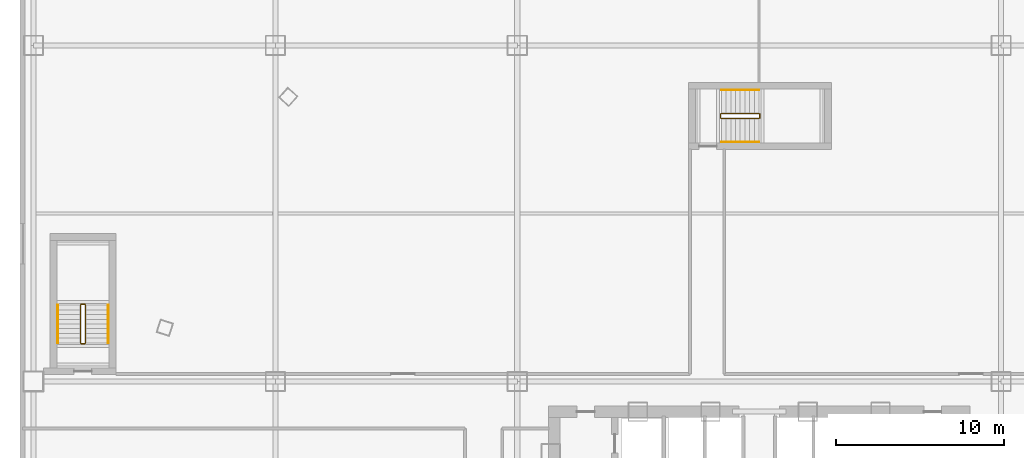
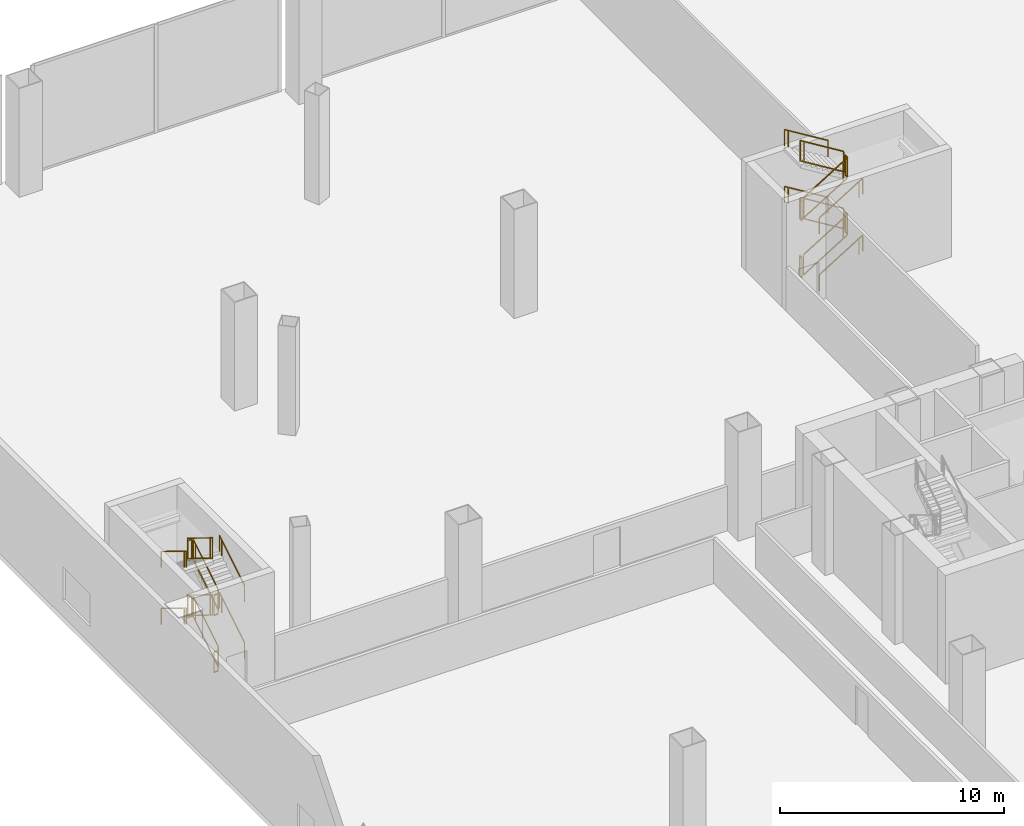
# One storey, part 40 of 41: 24 railings.
"""IFC4 building model written with IfcOpenShell, lengths in metres."""

from ifc_helpers import new_model, si_unit, direction, frame, origin, origin_2d, place, context, subcontext, project, spatial, rectangle, extrude, material, type_object, element, save


model = new_model("IFC4")

# Units and contexts
model_context = context("Model", 3, precision=1e-05, world=origin(), true_north=direction((0.0, 1.0)))
body_context = subcontext(model_context, "Body", "Model", "MODEL_VIEW")
ifc_project = project(units=[si_unit("LENGTHUNIT", "METRE"), si_unit("AREAUNIT", "SQUARE_METRE"), si_unit("VOLUMEUNIT", "CUBIC_METRE"), si_unit("PLANEANGLEUNIT", "RADIAN"), si_unit("MASSUNIT", "GRAM", prefix="KILO"), si_unit("THERMODYNAMICTEMPERATUREUNIT", "KELVIN"), si_unit("POWERUNIT", "WATT")], contexts=[model_context])

# Site, building, storey
site_placement = place(None, origin())
site = spatial("IfcSite", under=ifc_project, at=site_placement, CompositionType="ELEMENT")
building_placement = place(site_placement, origin())
building = spatial("IfcBuilding", under=site, at=building_placement, Name="Yunzhuo Pagoda Commons", CompositionType="ELEMENT")
storey_placement = place(building_placement, frame((0.0, 0.0, 19.199951171875)))
storey = spatial("IfcBuildingStorey", under=building, at=storey_placement, Name="L05", CompositionType="ELEMENT", Elevation=19.199951171875)

# Railings
ifc_material = material(Name="Anodized aluminium 6063-T6", Category="aluminium")
railing_type_1 = type_object("IfcRailingType", Name="GR-PS3 Podium Well Guardrail 1150", PredefinedType="GUARDRAIL", material=ifc_material)
railing_1_placement = place(storey_placement, frame((7.89990234375, 44.300048828125, 0.17236328125)))
element("IfcRailing", 1, at=railing_1_placement, inside=storey, type_object=railing_type_1, Name="L05 PS3 stair guard 1", PredefinedType="GUARDRAIL", context=body_context, shape_type="SweptSolid", body=[
    extrude(rectangle(XDim=0.048095703125, YDim=0.048095703125, at=origin_2d()), frame((0.0, 0.0, 1.1259765625), z_axis=(0.0, 0.85178898068, 0.523885037382), x_axis=(-1.0, 0.0, 0.0)), (0.0, 0.0, 1.0), 2.629638671875),
    extrude(rectangle(XDim=0.048095703125, YDim=0.048095703125, at=origin_2d()), frame((0.0, 0.0, 0.02392578125), z_axis=(0.0, 0.85178898068, 0.523885037382), x_axis=(-1.0, 0.0, 0.0)), (0.0, 0.0, 1.0), 2.629638671875),
    extrude(rectangle(XDim=0.0419921875, YDim=0.0419921875, at=origin_2d()), origin(), (0.0, 0.0, 1.0), 1.101806640625),
    extrude(rectangle(XDim=0.0419921875, YDim=0.0419921875, at=origin_2d()), frame((0.0, 2.044189453125, 1.25732421875)), (0.0, 0.0, 1.0), 1.101806640625),
    extrude(rectangle(XDim=0.0419921875, YDim=0.0419921875, at=origin_2d()), frame((0.0, 2.239990234375, 1.377685546875)), (0.0, 0.0, 1.0), 1.101806640625),
])
railing_2_placement = place(storey_placement, frame((7.85009765625, 46.590087890625, 1.550048828125)))
element("IfcRailing", 2, at=railing_2_placement, inside=storey, type_object=railing_type_1, Name="L05 PS3 stair guard 2", PredefinedType="GUARDRAIL", context=body_context, shape_type="SweptSolid", body=[
    extrude(rectangle(XDim=0.048095703125, YDim=0.048095703125, at=origin_2d()), frame((0.0, 0.0, 1.1259765625), z_axis=(-1.0, 0.0, 0.0), x_axis=(0.0, -1.0, 0.0)), (0.0, 0.0, 1.0), 0.2001953125),
    extrude(rectangle(XDim=0.048095703125, YDim=0.048095703125, at=origin_2d()), frame((0.0, 0.0, 0.02392578125), z_axis=(-1.0, 0.0, 0.0), x_axis=(0.0, -1.0, 0.0)), (0.0, 0.0, 1.0), 0.2001953125),
    extrude(rectangle(XDim=0.0419921875, YDim=0.0419921875, at=origin_2d()), origin(), (0.0, 0.0, 1.0), 1.101806640625),
    extrude(rectangle(XDim=0.0419921875, YDim=0.0419921875, at=origin_2d()), frame((-0.2001953125, 0.0, 0.0)), (0.0, 0.0, 1.0), 1.101806640625),
])
railing_3_placement = place(storey_placement, frame((7.60009765625, 46.5400390625, 1.72216796875)))
element("IfcRailing", 3, at=railing_3_placement, inside=storey, type_object=railing_type_1, Name="L05 PS3 stair guard 3", PredefinedType="GUARDRAIL", context=body_context, shape_type="SweptSolid", body=[
    extrude(rectangle(XDim=0.048095703125, YDim=0.048095703125, at=origin_2d()), frame((0.0, 0.0, 1.1259765625), z_axis=(0.0, -0.851747552033, 0.523952390591), x_axis=(1.0, 0.0, 0.0)), (0.0, 0.0, 1.0), 2.6298828125),
    extrude(rectangle(XDim=0.048095703125, YDim=0.048095703125, at=origin_2d()), frame((0.0, 0.0, 0.02392578125), z_axis=(0.0, -0.851747552033, 0.523952390591), x_axis=(1.0, 0.0, 0.0)), (0.0, 0.0, 1.0), 2.6298828125),
    extrude(rectangle(XDim=0.0419921875, YDim=0.0419921875, at=origin_2d()), origin(), (0.0, 0.0, 1.0), 1.101806640625),
    extrude(rectangle(XDim=0.0419921875, YDim=0.0419921875, at=origin_2d()), frame((0.0, -2.044189453125, 1.257568359375)), (0.0, 0.0, 1.0), 1.101806640625),
    extrude(rectangle(XDim=0.0419921875, YDim=0.0419921875, at=origin_2d()), frame((0.0, -2.239990234375, 1.3779296875)), (0.0, 0.0, 1.0), 1.101806640625),
])
railing_4_placement = place(storey_placement, frame((7.85009765625, 44.25, 3.10009765625)))
element("IfcRailing", 4, at=railing_4_placement, inside=storey, type_object=railing_type_1, Name="L05 PS3 stair guard 4", PredefinedType="GUARDRAIL", context=body_context, shape_type="SweptSolid", body=[
    extrude(rectangle(XDim=0.048095703125, YDim=0.048095703125, at=origin_2d()), frame((0.0, 0.0, 1.1259765625), z_axis=(-1.0, 0.0, 0.0), x_axis=(0.0, -1.0, 0.0)), (0.0, 0.0, 1.0), 0.2001953125),
    extrude(rectangle(XDim=0.048095703125, YDim=0.048095703125, at=origin_2d()), frame((0.0, 0.0, 0.02392578125), z_axis=(-1.0, 0.0, 0.0), x_axis=(0.0, -1.0, 0.0)), (0.0, 0.0, 1.0), 0.2001953125),
    extrude(rectangle(XDim=0.0419921875, YDim=0.0419921875, at=origin_2d()), origin(), (0.0, 0.0, 1.0), 1.101806640625),
    extrude(rectangle(XDim=0.0419921875, YDim=0.0419921875, at=origin_2d()), frame((-0.2001953125, 0.0, 0.0)), (0.0, 0.0, 1.0), 1.101806640625),
])
railing_5_placement = place(storey_placement, frame((7.89990234375, 44.300048828125, 3.272216796875)))
element("IfcRailing", 5, at=railing_5_placement, inside=storey, type_object=railing_type_1, Name="L05 PS3 stair guard 5", PredefinedType="GUARDRAIL", context=body_context, shape_type="SweptSolid", body=[
    extrude(rectangle(XDim=0.048095703125, YDim=0.048095703125, at=origin_2d()), frame((0.0, 0.0, 1.1259765625), z_axis=(0.0, 0.851747552033, 0.523952390591), x_axis=(-1.0, 0.0, 0.0)), (0.0, 0.0, 1.0), 2.6298828125),
    extrude(rectangle(XDim=0.048095703125, YDim=0.048095703125, at=origin_2d()), frame((0.0, 0.0, 0.02392578125), z_axis=(0.0, 0.851747552033, 0.523952390591), x_axis=(-1.0, 0.0, 0.0)), (0.0, 0.0, 1.0), 2.6298828125),
    extrude(rectangle(XDim=0.0419921875, YDim=0.0419921875, at=origin_2d()), origin(), (0.0, 0.0, 1.0), 1.101806640625),
    extrude(rectangle(XDim=0.0419921875, YDim=0.0419921875, at=origin_2d()), frame((0.0, 2.044189453125, 1.257568359375)), (0.0, 0.0, 1.0), 1.101806640625),
    extrude(rectangle(XDim=0.0419921875, YDim=0.0419921875, at=origin_2d()), frame((0.0, 2.239990234375, 1.3779296875)), (0.0, 0.0, 1.0), 1.101806640625),
])
railing_6_placement = place(storey_placement, frame((7.85009765625, 46.590087890625, 4.650146484375)))
element("IfcRailing", 6, at=railing_6_placement, inside=storey, type_object=railing_type_1, Name="L05 PS3 stair guard 6", PredefinedType="GUARDRAIL", context=body_context, shape_type="SweptSolid", body=[
    extrude(rectangle(XDim=0.048095703125, YDim=0.048095703125, at=origin_2d()), frame((0.0, 0.0, 1.1259765625), z_axis=(-1.0, 0.0, 0.0), x_axis=(0.0, -1.0, 0.0)), (0.0, 0.0, 1.0), 0.2001953125),
    extrude(rectangle(XDim=0.048095703125, YDim=0.048095703125, at=origin_2d()), frame((0.0, 0.0, 0.02392578125), z_axis=(-1.0, 0.0, 0.0), x_axis=(0.0, -1.0, 0.0)), (0.0, 0.0, 1.0), 0.2001953125),
    extrude(rectangle(XDim=0.0419921875, YDim=0.0419921875, at=origin_2d()), origin(), (0.0, 0.0, 1.0), 1.101806640625),
    extrude(rectangle(XDim=0.0419921875, YDim=0.0419921875, at=origin_2d()), frame((-0.2001953125, 0.0, 0.0)), (0.0, 0.0, 1.0), 1.101806640625),
])
railing_7_placement = place(storey_placement, frame((7.60009765625, 46.5400390625, 4.822265625)))
element("IfcRailing", 7, at=railing_7_placement, inside=storey, type_object=railing_type_1, Name="L05 PS3 stair guard 7", PredefinedType="GUARDRAIL", context=body_context, shape_type="SweptSolid", body=[
    extrude(rectangle(XDim=0.048095703125, YDim=0.048095703125, at=origin_2d()), frame((0.0, 0.0, 1.1259765625), z_axis=(0.0, -0.85178898068, 0.523885037382), x_axis=(1.0, 0.0, 0.0)), (0.0, 0.0, 1.0), 2.629638671875),
    extrude(rectangle(XDim=0.048095703125, YDim=0.048095703125, at=origin_2d()), frame((0.0, 0.0, 0.02392578125), z_axis=(0.0, -0.85178898068, 0.523885037382), x_axis=(1.0, 0.0, 0.0)), (0.0, 0.0, 1.0), 2.629638671875),
    extrude(rectangle(XDim=0.0419921875, YDim=0.0419921875, at=origin_2d()), origin(), (0.0, 0.0, 1.0), 1.101806640625),
    extrude(rectangle(XDim=0.0419921875, YDim=0.0419921875, at=origin_2d()), frame((0.0, -2.044189453125, 1.25732421875)), (0.0, 0.0, 1.0), 1.101806640625),
    extrude(rectangle(XDim=0.0419921875, YDim=0.0419921875, at=origin_2d()), frame((0.0, -2.239990234375, 1.377685546875)), (0.0, 0.0, 1.0), 1.101806640625),
])
railing_8_placement = place(storey_placement, frame((7.85009765625, 44.25, 0.0)))
element("IfcRailing", 8, at=railing_8_placement, inside=storey, type_object=railing_type_1, Name="L05 PS3 stair guard 8", PredefinedType="GUARDRAIL", context=body_context, shape_type="SweptSolid", body=[
    extrude(rectangle(XDim=0.048095703125, YDim=0.048095703125, at=origin_2d()), frame((0.0, 0.0, 1.1259765625), z_axis=(-1.0, 0.0, 0.0), x_axis=(0.0, -1.0, 0.0)), (0.0, 0.0, 1.0), 0.2001953125),
    extrude(rectangle(XDim=0.048095703125, YDim=0.048095703125, at=origin_2d()), frame((0.0, 0.0, 0.02392578125), z_axis=(-1.0, 0.0, 0.0), x_axis=(0.0, -1.0, 0.0)), (0.0, 0.0, 1.0), 0.2001953125),
    extrude(rectangle(XDim=0.0419921875, YDim=0.0419921875, at=origin_2d()), origin(), (0.0, 0.0, 1.0), 1.101806640625),
    extrude(rectangle(XDim=0.0419921875, YDim=0.0419921875, at=origin_2d()), frame((-0.2001953125, 0.0, 0.0)), (0.0, 0.0, 1.0), 1.101806640625),
])
railing_type_2 = type_object("IfcRailingType", Name="GR-ST3 North Well Guardrail 1155", PredefinedType="GUARDRAIL", material=ifc_material)
railing_9_placement = place(storey_placement, frame((45.75, 57.64990234375, 0.17236328125)))
element("IfcRailing", 9, at=railing_9_placement, inside=storey, type_object=railing_type_2, Name="L05 ST3 stair guard 1", PredefinedType="GUARDRAIL", context=body_context, shape_type="SweptSolid", body=[
    extrude(rectangle(XDim=0.048095703125, YDim=0.048095703125, at=origin_2d()), frame((0.0, 0.0, 1.1259765625), z_axis=(0.85178898068, 0.0, 0.523885037382), x_axis=(0.0, 1.0, 0.0)), (0.0, 0.0, 1.0), 2.629638671875),
    extrude(rectangle(XDim=0.048095703125, YDim=0.048095703125, at=origin_2d()), frame((0.0, 0.0, 0.02392578125), z_axis=(0.85178898068, 0.0, 0.523885037382), x_axis=(0.0, 1.0, 0.0)), (0.0, 0.0, 1.0), 2.629638671875),
    extrude(rectangle(XDim=0.0419921875, YDim=0.0419921875, at=origin_2d()), origin(), (0.0, 0.0, 1.0), 1.101806640625),
    extrude(rectangle(XDim=0.0419921875, YDim=0.0419921875, at=origin_2d()), frame((2.044189453125, 0.0, 1.25732421875)), (0.0, 0.0, 1.0), 1.101806640625),
    extrude(rectangle(XDim=0.0419921875, YDim=0.0419921875, at=origin_2d()), frame((2.239990234375, 0.0, 1.377685546875)), (0.0, 0.0, 1.0), 1.101806640625),
])
railing_10_placement = place(storey_placement, frame((48.0400390625, 57.699951171875, 1.550048828125)))
element("IfcRailing", 10, at=railing_10_placement, inside=storey, type_object=railing_type_2, Name="L05 ST3 stair guard 2", PredefinedType="GUARDRAIL", context=body_context, shape_type="SweptSolid", body=[
    extrude(rectangle(XDim=0.048095703125, YDim=0.048095703125, at=origin_2d()), frame((0.0, 0.0, 1.1259765625), z_axis=(0.0, 1.0, 0.0), x_axis=(-1.0, 0.0, 0.0)), (0.0, 0.0, 1.0), 0.199951171875),
    extrude(rectangle(XDim=0.048095703125, YDim=0.048095703125, at=origin_2d()), frame((0.0, 0.0, 0.02392578125), z_axis=(0.0, 1.0, 0.0), x_axis=(-1.0, 0.0, 0.0)), (0.0, 0.0, 1.0), 0.199951171875),
    extrude(rectangle(XDim=0.0419921875, YDim=0.0419921875, at=origin_2d()), origin(), (0.0, 0.0, 1.0), 1.101806640625),
    extrude(rectangle(XDim=0.0419921875, YDim=0.0419921875, at=origin_2d()), frame((0.0, 0.199951171875, 0.0)), (0.0, 0.0, 1.0), 1.101806640625),
])
railing_11_placement = place(storey_placement, frame((47.989990234375, 57.949951171875, 1.72216796875)))
element("IfcRailing", 11, at=railing_11_placement, inside=storey, type_object=railing_type_2, Name="L05 ST3 stair guard 3", PredefinedType="GUARDRAIL", context=body_context, shape_type="SweptSolid", body=[
    extrude(rectangle(XDim=0.048095703125, YDim=0.048095703125, at=origin_2d()), frame((0.0, 0.0, 1.1259765625), z_axis=(-0.851747552033, 0.0, 0.523952390591), x_axis=(0.0, -1.0, 0.0)), (0.0, 0.0, 1.0), 2.6298828125),
    extrude(rectangle(XDim=0.048095703125, YDim=0.048095703125, at=origin_2d()), frame((0.0, 0.0, 0.02392578125), z_axis=(-0.851747552033, 0.0, 0.523952390591), x_axis=(0.0, -1.0, 0.0)), (0.0, 0.0, 1.0), 2.6298828125),
    extrude(rectangle(XDim=0.0419921875, YDim=0.0419921875, at=origin_2d()), origin(), (0.0, 0.0, 1.0), 1.101806640625),
    extrude(rectangle(XDim=0.0419921875, YDim=0.0419921875, at=origin_2d()), frame((-2.044189453125, 0.0, 1.257568359375)), (0.0, 0.0, 1.0), 1.101806640625),
    extrude(rectangle(XDim=0.0419921875, YDim=0.0419921875, at=origin_2d()), frame((-2.239990234375, 0.0, 1.3779296875)), (0.0, 0.0, 1.0), 1.101806640625),
])
railing_12_placement = place(storey_placement, frame((45.699951171875, 57.699951171875, 3.10009765625)))
element("IfcRailing", 12, at=railing_12_placement, inside=storey, type_object=railing_type_2, Name="L05 ST3 stair guard 4", PredefinedType="GUARDRAIL", context=body_context, shape_type="SweptSolid", body=[
    extrude(rectangle(XDim=0.048095703125, YDim=0.048095703125, at=origin_2d()), frame((0.0, 0.0, 1.1259765625), z_axis=(0.0, 1.0, 0.0), x_axis=(-1.0, 0.0, 0.0)), (0.0, 0.0, 1.0), 0.199951171875),
    extrude(rectangle(XDim=0.048095703125, YDim=0.048095703125, at=origin_2d()), frame((0.0, 0.0, 0.02392578125), z_axis=(0.0, 1.0, 0.0), x_axis=(-1.0, 0.0, 0.0)), (0.0, 0.0, 1.0), 0.199951171875),
    extrude(rectangle(XDim=0.0419921875, YDim=0.0419921875, at=origin_2d()), origin(), (0.0, 0.0, 1.0), 1.101806640625),
    extrude(rectangle(XDim=0.0419921875, YDim=0.0419921875, at=origin_2d()), frame((0.0, 0.199951171875, 0.0)), (0.0, 0.0, 1.0), 1.101806640625),
])
railing_13_placement = place(storey_placement, frame((45.75, 57.64990234375, 3.272216796875)))
element("IfcRailing", 13, at=railing_13_placement, inside=storey, type_object=railing_type_2, Name="L05 ST3 stair guard 5", PredefinedType="GUARDRAIL", context=body_context, shape_type="SweptSolid", body=[
    extrude(rectangle(XDim=0.048095703125, YDim=0.048095703125, at=origin_2d()), frame((0.0, 0.0, 1.1259765625), z_axis=(0.851747552033, 0.0, 0.523952390591), x_axis=(0.0, 1.0, 0.0)), (0.0, 0.0, 1.0), 2.6298828125),
    extrude(rectangle(XDim=0.048095703125, YDim=0.048095703125, at=origin_2d()), frame((0.0, 0.0, 0.02392578125), z_axis=(0.851747552033, 0.0, 0.523952390591), x_axis=(0.0, 1.0, 0.0)), (0.0, 0.0, 1.0), 2.6298828125),
    extrude(rectangle(XDim=0.0419921875, YDim=0.0419921875, at=origin_2d()), origin(), (0.0, 0.0, 1.0), 1.101806640625),
    extrude(rectangle(XDim=0.0419921875, YDim=0.0419921875, at=origin_2d()), frame((2.044189453125, 0.0, 1.257568359375)), (0.0, 0.0, 1.0), 1.101806640625),
    extrude(rectangle(XDim=0.0419921875, YDim=0.0419921875, at=origin_2d()), frame((2.239990234375, 0.0, 1.3779296875)), (0.0, 0.0, 1.0), 1.101806640625),
])
railing_14_placement = place(storey_placement, frame((48.0400390625, 57.699951171875, 4.650146484375)))
element("IfcRailing", 14, at=railing_14_placement, inside=storey, type_object=railing_type_2, Name="L05 ST3 stair guard 6", PredefinedType="GUARDRAIL", context=body_context, shape_type="SweptSolid", body=[
    extrude(rectangle(XDim=0.048095703125, YDim=0.048095703125, at=origin_2d()), frame((0.0, 0.0, 1.1259765625), z_axis=(0.0, 1.0, 0.0), x_axis=(-1.0, 0.0, 0.0)), (0.0, 0.0, 1.0), 0.199951171875),
    extrude(rectangle(XDim=0.048095703125, YDim=0.048095703125, at=origin_2d()), frame((0.0, 0.0, 0.02392578125), z_axis=(0.0, 1.0, 0.0), x_axis=(-1.0, 0.0, 0.0)), (0.0, 0.0, 1.0), 0.199951171875),
    extrude(rectangle(XDim=0.0419921875, YDim=0.0419921875, at=origin_2d()), origin(), (0.0, 0.0, 1.0), 1.101806640625),
    extrude(rectangle(XDim=0.0419921875, YDim=0.0419921875, at=origin_2d()), frame((0.0, 0.199951171875, 0.0)), (0.0, 0.0, 1.0), 1.101806640625),
])
railing_15_placement = place(storey_placement, frame((47.989990234375, 57.949951171875, 4.822265625)))
element("IfcRailing", 15, at=railing_15_placement, inside=storey, type_object=railing_type_2, Name="L05 ST3 stair guard 7", PredefinedType="GUARDRAIL", context=body_context, shape_type="SweptSolid", body=[
    extrude(rectangle(XDim=0.048095703125, YDim=0.048095703125, at=origin_2d()), frame((0.0, 0.0, 1.1259765625), z_axis=(-0.85178898068, 0.0, 0.523885037382), x_axis=(0.0, -1.0, 0.0)), (0.0, 0.0, 1.0), 2.629638671875),
    extrude(rectangle(XDim=0.048095703125, YDim=0.048095703125, at=origin_2d()), frame((0.0, 0.0, 0.02392578125), z_axis=(-0.85178898068, 0.0, 0.523885037382), x_axis=(0.0, -1.0, 0.0)), (0.0, 0.0, 1.0), 2.629638671875),
    extrude(rectangle(XDim=0.0419921875, YDim=0.0419921875, at=origin_2d()), origin(), (0.0, 0.0, 1.0), 1.101806640625),
    extrude(rectangle(XDim=0.0419921875, YDim=0.0419921875, at=origin_2d()), frame((-2.044189453125, 0.0, 1.25732421875)), (0.0, 0.0, 1.0), 1.101806640625),
    extrude(rectangle(XDim=0.0419921875, YDim=0.0419921875, at=origin_2d()), frame((-2.239990234375, 0.0, 1.377685546875)), (0.0, 0.0, 1.0), 1.101806640625),
])
railing_16_placement = place(storey_placement, frame((45.699951171875, 57.699951171875, 0.0)))
element("IfcRailing", 16, at=railing_16_placement, inside=storey, type_object=railing_type_2, Name="L05 ST3 stair guard 8", PredefinedType="GUARDRAIL", context=body_context, shape_type="SweptSolid", body=[
    extrude(rectangle(XDim=0.048095703125, YDim=0.048095703125, at=origin_2d()), frame((0.0, 0.0, 1.1259765625), z_axis=(0.0, 1.0, 0.0), x_axis=(-1.0, 0.0, 0.0)), (0.0, 0.0, 1.0), 0.199951171875),
    extrude(rectangle(XDim=0.048095703125, YDim=0.048095703125, at=origin_2d()), frame((0.0, 0.0, 0.02392578125), z_axis=(0.0, 1.0, 0.0), x_axis=(-1.0, 0.0, 0.0)), (0.0, 0.0, 1.0), 0.199951171875),
    extrude(rectangle(XDim=0.0419921875, YDim=0.0419921875, at=origin_2d()), origin(), (0.0, 0.0, 1.0), 1.101806640625),
    extrude(rectangle(XDim=0.0419921875, YDim=0.0419921875, at=origin_2d()), frame((0.0, 0.199951171875, 0.0)), (0.0, 0.0, 1.0), 1.101806640625),
])
railing_type_3 = type_object("IfcRailingType", Name="HR-PS3 Podium Stair Handrail 900", PredefinedType="HANDRAIL", material=ifc_material)
railing_17_placement = place(storey_placement, frame((9.25, 44.300048828125, 0.17236328125)))
element("IfcRailing", 17, at=railing_17_placement, inside=storey, type_object=railing_type_3, Name="L05 PS3 stair handrail 1", PredefinedType="HANDRAIL", context=body_context, shape_type="SweptSolid", body=[
    extrude(rectangle(XDim=0.048095703125, YDim=0.048095703125, at=origin_2d()), frame((0.0, 0.0, 0.8759765625), z_axis=(0.0, 0.85178898068, 0.523885037382), x_axis=(-1.0, 0.0, 0.0)), (0.0, 0.0, 1.0), 2.629638671875),
    extrude(rectangle(XDim=0.0419921875, YDim=0.0419921875, at=origin_2d()), origin(), (0.0, 0.0, 1.0), 0.851806640625),
    extrude(rectangle(XDim=0.0419921875, YDim=0.0419921875, at=origin_2d()), frame((0.0, 2.044189453125, 1.25732421875)), (0.0, 0.0, 1.0), 0.851806640625),
    extrude(rectangle(XDim=0.0419921875, YDim=0.0419921875, at=origin_2d()), frame((0.0, 2.239990234375, 1.377685546875)), (0.0, 0.0, 1.0), 0.851806640625),
])
railing_18_placement = place(storey_placement, frame((6.25, 46.5400390625, 1.72216796875)))
element("IfcRailing", 18, at=railing_18_placement, inside=storey, type_object=railing_type_3, Name="L05 PS3 stair handrail 2", PredefinedType="HANDRAIL", context=body_context, shape_type="SweptSolid", body=[
    extrude(rectangle(XDim=0.048095703125, YDim=0.048095703125, at=origin_2d()), frame((0.0, 0.0, 0.8759765625), z_axis=(0.0, -0.851747552033, 0.523952390591), x_axis=(1.0, 0.0, 0.0)), (0.0, 0.0, 1.0), 2.6298828125),
    extrude(rectangle(XDim=0.0419921875, YDim=0.0419921875, at=origin_2d()), origin(), (0.0, 0.0, 1.0), 0.851806640625),
    extrude(rectangle(XDim=0.0419921875, YDim=0.0419921875, at=origin_2d()), frame((0.0, -2.044189453125, 1.257568359375)), (0.0, 0.0, 1.0), 0.851806640625),
    extrude(rectangle(XDim=0.0419921875, YDim=0.0419921875, at=origin_2d()), frame((0.0, -2.239990234375, 1.3779296875)), (0.0, 0.0, 1.0), 0.851806640625),
])
railing_19_placement = place(storey_placement, frame((9.25, 44.300048828125, 3.272216796875)))
element("IfcRailing", 19, at=railing_19_placement, inside=storey, type_object=railing_type_3, Name="L05 PS3 stair handrail 3", PredefinedType="HANDRAIL", context=body_context, shape_type="SweptSolid", body=[
    extrude(rectangle(XDim=0.048095703125, YDim=0.048095703125, at=origin_2d()), frame((0.0, 0.0, 0.8759765625), z_axis=(0.0, 0.851747552033, 0.523952390591), x_axis=(-1.0, 0.0, 0.0)), (0.0, 0.0, 1.0), 2.6298828125),
    extrude(rectangle(XDim=0.0419921875, YDim=0.0419921875, at=origin_2d()), origin(), (0.0, 0.0, 1.0), 0.851806640625),
    extrude(rectangle(XDim=0.0419921875, YDim=0.0419921875, at=origin_2d()), frame((0.0, 2.044189453125, 1.257568359375)), (0.0, 0.0, 1.0), 0.851806640625),
    extrude(rectangle(XDim=0.0419921875, YDim=0.0419921875, at=origin_2d()), frame((0.0, 2.239990234375, 1.3779296875)), (0.0, 0.0, 1.0), 0.851806640625),
])
railing_20_placement = place(storey_placement, frame((6.25, 46.5400390625, 4.822265625)))
element("IfcRailing", 20, at=railing_20_placement, inside=storey, type_object=railing_type_3, Name="L05 PS3 stair handrail 4", PredefinedType="HANDRAIL", context=body_context, shape_type="SweptSolid", body=[
    extrude(rectangle(XDim=0.048095703125, YDim=0.048095703125, at=origin_2d()), frame((0.0, 0.0, 0.8759765625), z_axis=(0.0, -0.85178898068, 0.523885037382), x_axis=(1.0, 0.0, 0.0)), (0.0, 0.0, 1.0), 2.629638671875),
    extrude(rectangle(XDim=0.0419921875, YDim=0.0419921875, at=origin_2d()), origin(), (0.0, 0.0, 1.0), 0.851806640625),
    extrude(rectangle(XDim=0.0419921875, YDim=0.0419921875, at=origin_2d()), frame((0.0, -2.044189453125, 1.25732421875)), (0.0, 0.0, 1.0), 0.851806640625),
    extrude(rectangle(XDim=0.0419921875, YDim=0.0419921875, at=origin_2d()), frame((0.0, -2.239990234375, 1.377685546875)), (0.0, 0.0, 1.0), 0.851806640625),
])
railing_type_4 = type_object("IfcRailingType", Name="HR-ST3 North Stair Handrail 900", PredefinedType="HANDRAIL", material=ifc_material)
railing_21_placement = place(storey_placement, frame((45.75, 56.25, 0.17236328125)))
element("IfcRailing", 21, at=railing_21_placement, inside=storey, type_object=railing_type_4, Name="L05 ST3 stair handrail 1", PredefinedType="HANDRAIL", context=body_context, shape_type="SweptSolid", body=[
    extrude(rectangle(XDim=0.048095703125, YDim=0.048095703125, at=origin_2d()), frame((0.0, 0.0, 0.8759765625), z_axis=(0.85178898068, 0.0, 0.523885037382), x_axis=(0.0, 1.0, 0.0)), (0.0, 0.0, 1.0), 2.629638671875),
    extrude(rectangle(XDim=0.0419921875, YDim=0.0419921875, at=origin_2d()), origin(), (0.0, 0.0, 1.0), 0.851806640625),
    extrude(rectangle(XDim=0.0419921875, YDim=0.0419921875, at=origin_2d()), frame((2.044189453125, 0.0, 1.25732421875)), (0.0, 0.0, 1.0), 0.851806640625),
    extrude(rectangle(XDim=0.0419921875, YDim=0.0419921875, at=origin_2d()), frame((2.239990234375, 0.0, 1.377685546875)), (0.0, 0.0, 1.0), 0.851806640625),
])
railing_22_placement = place(storey_placement, frame((47.989990234375, 59.35009765625, 1.72216796875)))
element("IfcRailing", 22, at=railing_22_placement, inside=storey, type_object=railing_type_4, Name="L05 ST3 stair handrail 2", PredefinedType="HANDRAIL", context=body_context, shape_type="SweptSolid", body=[
    extrude(rectangle(XDim=0.048095703125, YDim=0.048095703125, at=origin_2d()), frame((0.0, 0.0, 0.8759765625), z_axis=(-0.851747552033, 0.0, 0.523952390591), x_axis=(0.0, -1.0, 0.0)), (0.0, 0.0, 1.0), 2.6298828125),
    extrude(rectangle(XDim=0.0419921875, YDim=0.0419921875, at=origin_2d()), origin(), (0.0, 0.0, 1.0), 0.851806640625),
    extrude(rectangle(XDim=0.0419921875, YDim=0.0419921875, at=origin_2d()), frame((-2.044189453125, 0.0, 1.257568359375)), (0.0, 0.0, 1.0), 0.851806640625),
    extrude(rectangle(XDim=0.0419921875, YDim=0.0419921875, at=origin_2d()), frame((-2.239990234375, 0.0, 1.3779296875)), (0.0, 0.0, 1.0), 0.851806640625),
])
railing_23_placement = place(storey_placement, frame((45.75, 56.25, 3.272216796875)))
element("IfcRailing", 23, at=railing_23_placement, inside=storey, type_object=railing_type_4, Name="L05 ST3 stair handrail 3", PredefinedType="HANDRAIL", context=body_context, shape_type="SweptSolid", body=[
    extrude(rectangle(XDim=0.048095703125, YDim=0.048095703125, at=origin_2d()), frame((0.0, 0.0, 0.8759765625), z_axis=(0.851747552033, 0.0, 0.523952390591), x_axis=(0.0, 1.0, 0.0)), (0.0, 0.0, 1.0), 2.6298828125),
    extrude(rectangle(XDim=0.0419921875, YDim=0.0419921875, at=origin_2d()), origin(), (0.0, 0.0, 1.0), 0.851806640625),
    extrude(rectangle(XDim=0.0419921875, YDim=0.0419921875, at=origin_2d()), frame((2.044189453125, 0.0, 1.257568359375)), (0.0, 0.0, 1.0), 0.851806640625),
    extrude(rectangle(XDim=0.0419921875, YDim=0.0419921875, at=origin_2d()), frame((2.239990234375, 0.0, 1.3779296875)), (0.0, 0.0, 1.0), 0.851806640625),
])
railing_24_placement = place(storey_placement, frame((47.989990234375, 59.35009765625, 4.822265625)))
element("IfcRailing", 24, at=railing_24_placement, inside=storey, type_object=railing_type_4, Name="L05 ST3 stair handrail 4", PredefinedType="HANDRAIL", context=body_context, shape_type="SweptSolid", body=[
    extrude(rectangle(XDim=0.048095703125, YDim=0.048095703125, at=origin_2d()), frame((0.0, 0.0, 0.8759765625), z_axis=(-0.85178898068, 0.0, 0.523885037382), x_axis=(0.0, -1.0, 0.0)), (0.0, 0.0, 1.0), 2.629638671875),
    extrude(rectangle(XDim=0.0419921875, YDim=0.0419921875, at=origin_2d()), origin(), (0.0, 0.0, 1.0), 0.851806640625),
    extrude(rectangle(XDim=0.0419921875, YDim=0.0419921875, at=origin_2d()), frame((-2.044189453125, 0.0, 1.25732421875)), (0.0, 0.0, 1.0), 0.851806640625),
    extrude(rectangle(XDim=0.0419921875, YDim=0.0419921875, at=origin_2d()), frame((-2.239990234375, 0.0, 1.377685546875)), (0.0, 0.0, 1.0), 0.851806640625),
])

save(model, "model.ifc")
